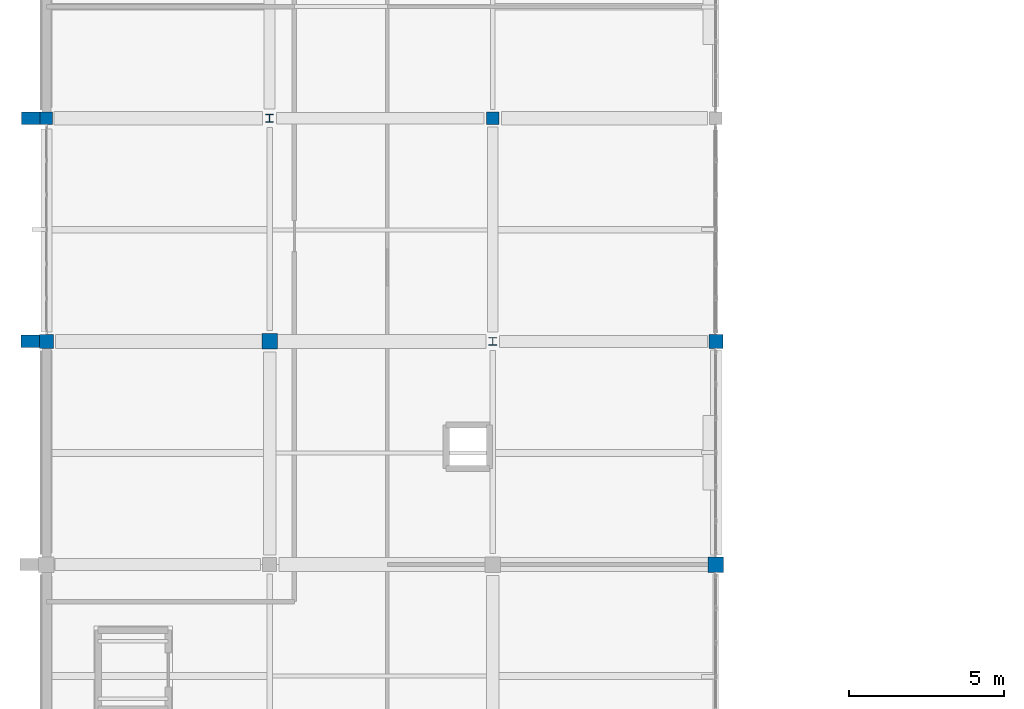
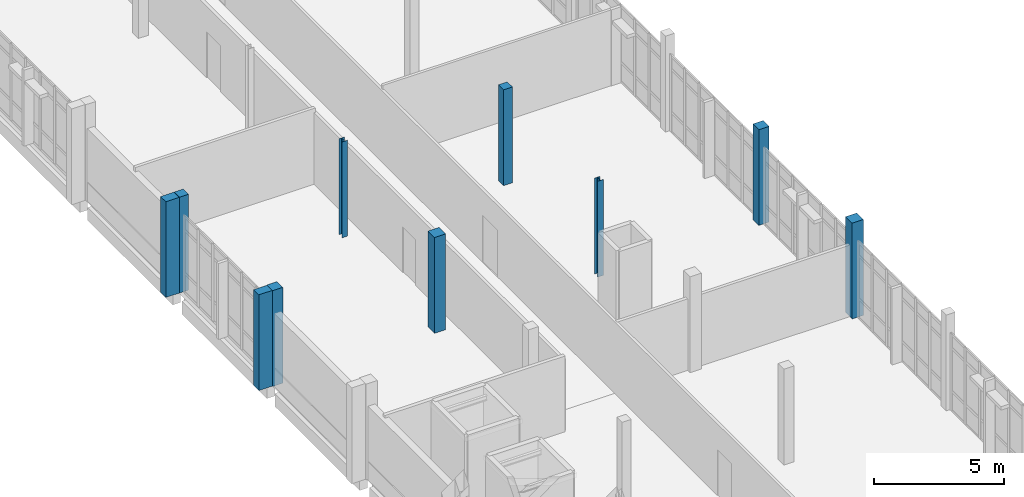
# One storey, part 3 of 62: 10 columns.
"""IFC4 building model written with IfcOpenShell, lengths in metres."""

from ifc_helpers import new_model, si_unit, direction, frame, origin, origin_2d, place, context, subcontext, project, spatial, rectangle, i_section, extrude, material, material_profile, profile_set, type_object, element, save


model = new_model("IFC4")

# Units and contexts
model_context = context("Model", 3, precision=1e-05, world=origin(), true_north=direction((0.0, 1.0)))
body_context = subcontext(model_context, "Body", "Model", "MODEL_VIEW")
ifc_project = project(units=[si_unit("LENGTHUNIT", "METRE"), si_unit("AREAUNIT", "SQUARE_METRE"), si_unit("VOLUMEUNIT", "CUBIC_METRE"), si_unit("PLANEANGLEUNIT", "RADIAN"), si_unit("MASSUNIT", "GRAM", prefix="KILO")], contexts=[model_context])

# Site, building, storey
site_placement = place(None, origin())
site = spatial("IfcSite", under=ifc_project, at=site_placement, CompositionType="ELEMENT")
building_placement = place(site_placement, origin())
building = spatial("IfcBuilding", under=site, at=building_placement, Name="Kalluvel Institute of Natural Sciences", CompositionType="ELEMENT")
storey_placement = place(building_placement, frame((0.0, 0.0, 27.89990234375)))
storey = spatial("IfcBuildingStorey", under=building, at=storey_placement, Name="L06", CompositionType="ELEMENT", Elevation=27.89990234375)

# Columns
ifc_material_1 = material(Name="Steel E350 Grade 350", Category="steel")
ifc_material_profile_1 = material_profile(ifc_material_1, i_section(OverallWidth=0.25, OverallDepth=0.25, WebThickness=0.0087890625, FlangeThickness=0.009765625, FilletRadius=0.010009765625, at=origin_2d()), Name="ISHB 250")
ifc_profile_set_1 = profile_set([ifc_material_profile_1], Name="Steel E350 Grade 350")
column_type_1 = type_object("IfcColumnType", Name="COL-ISHB250", PredefinedType="COLUMN", material=ifc_profile_set_1)
for number, where, z_axis, x_axis, name in (
    (1, (21.199951171875, 78.800048828125, 0.0), (0.0, 0.0, 1.0), (1.0, 0.0, 0.0), "L06 structural column COL-L06-X212-Y788"),
    (2, (28.39990234375, 71.60009765625, 0.0), (0.0, 0.0, 1.0), (1.0, 0.0, 0.0), "L06 structural column COL-L06-X284-Y716"),
):
    element("IfcColumn", number, at=place(storey_placement, frame(where, z_axis=z_axis, x_axis=x_axis)), inside=storey, type_object=column_type_1, Name=name, PredefinedType="COLUMN", context=body_context, shape_type="SweptSolid", body=[
        extrude(i_section(OverallWidth=0.25, OverallDepth=0.25, WebThickness=0.0087890625, FlangeThickness=0.009765625, FilletRadius=0.010009765625, at=origin_2d()), origin(), (0.0, 0.0, 1.0), 4.5),
    ])
ifc_material_2 = material(Name="Concrete M40", Category="concrete")
ifc_material_profile_2 = material_profile(ifc_material_2, rectangle(XDim=0.39990234375, YDim=0.39990234375, at=origin_2d()), Name="RC 400x400")
ifc_profile_set_2 = profile_set([ifc_material_profile_2], Name="Concrete M40")
column_type_2 = type_object("IfcColumnType", Name="COL-RC400", PredefinedType="COLUMN", material=ifc_profile_set_2)
for number, where, z_axis, x_axis, name in (
    (3, (14.0, 78.800048828125, 0.0), (0.0, 0.0, 1.0), (1.0, 0.0, 0.0), "L06 structural column COL-L06-X140-Y788"),
    (4, (28.39990234375, 78.800048828125, 0.0), (0.0, 0.0, 1.0), (1.0, 0.0, 0.0), "L06 structural column COL-L06-X284-Y788"),
):
    element("IfcColumn", number, at=place(storey_placement, frame(where, z_axis=z_axis, x_axis=x_axis)), inside=storey, type_object=column_type_2, Name=name, PredefinedType="COLUMN", context=body_context, shape_type="SweptSolid", body=[
        extrude(rectangle(XDim=0.39990234375, YDim=0.39990234375, at=origin_2d()), origin(), (0.0, 0.0, 1.0), 4.5),
    ])
ifc_material_profile_3 = material_profile(ifc_material_2, rectangle(XDim=0.449951171875, YDim=0.449951171875, at=origin_2d()), Name="RC 450x450")
ifc_profile_set_3 = profile_set([ifc_material_profile_3], Name="Concrete M40")
column_type_3 = type_object("IfcColumnType", Name="COL-RC450", PredefinedType="COLUMN", material=ifc_profile_set_3)
for number, where, z_axis, x_axis, name in (
    (5, (14.0, 71.60009765625, 0.0), (0.0, 0.0, 1.0), (1.0, 0.0, 0.0), "L06 structural column COL-L06-X140-Y716"),
    (6, (35.60009765625, 71.60009765625, 0.0), (0.0, 0.0, 1.0), (1.0, 0.0, 0.0), "L06 structural column COL-L06-X356-Y716"),
):
    element("IfcColumn", number, at=place(storey_placement, frame(where, z_axis=z_axis, x_axis=x_axis)), inside=storey, type_object=column_type_3, Name=name, PredefinedType="COLUMN", context=body_context, shape_type="SweptSolid", body=[
        extrude(rectangle(XDim=0.449951171875, YDim=0.449951171875, at=origin_2d()), origin(), (0.0, 0.0, 1.0), 4.5),
    ])
ifc_material_profile_4 = material_profile(ifc_material_2, rectangle(XDim=0.5, YDim=0.5, at=origin_2d()), Name="RC 500x500")
ifc_profile_set_4 = profile_set([ifc_material_profile_4], Name="Concrete M40")
column_type_4 = type_object("IfcColumnType", Name="COL-RC500", PredefinedType="COLUMN", material=ifc_profile_set_4)
for number, where, z_axis, x_axis, name in (
    (7, (21.199951171875, 71.60009765625, 0.0), (0.0, 0.0, 1.0), (1.0, 0.0, 0.0), "L06 structural column COL-L06-X212-Y716"),
    (8, (35.60009765625, 64.39990234375, 0.0), (0.0, 0.0, 1.0), (1.0, 0.0, 0.0), "L06 structural column COL-L06-X356-Y644"),
):
    element("IfcColumn", number, at=place(storey_placement, frame(where, z_axis=z_axis, x_axis=x_axis)), inside=storey, type_object=column_type_4, Name=name, PredefinedType="COLUMN", context=body_context, shape_type="SweptSolid", body=[
        extrude(rectangle(XDim=0.5, YDim=0.5, at=origin_2d()), origin(), (0.0, 0.0, 1.0), 4.5),
    ])
ifc_material_3 = material(Name="Sadarahalli Granite Precast Concrete M45", Category="masonry")
ifc_material_profile_5 = material_profile(ifc_material_3, rectangle(XDim=0.39990234375, YDim=0.60009765625, at=origin_2d()), Name="PIL 400x600")
ifc_profile_set_5 = profile_set([ifc_material_profile_5], Name="Sadarahalli Granite Precast Concrete M45")
column_type_5 = type_object("IfcColumnType", Name="PIL-400x600", PredefinedType="PILASTER", material=ifc_profile_set_5)
for number, where, z_axis, x_axis, name in (
    (9, (13.471923828125, 71.60009765625, 0.0), (0.0, 0.0, 1.0), (0.0, 1.0, 0.0), "L06 Gothic stepped Sadarahalli granite buttress 108"),
    (10, (13.4970703125, 78.800048828125, 0.0), (0.0, 0.0, 1.0), (0.0, 1.0, 0.0), "L06 Gothic stepped Sadarahalli granite buttress 116"),
):
    element("IfcColumn", number, at=place(storey_placement, frame(where, z_axis=z_axis, x_axis=x_axis)), inside=storey, type_object=column_type_5, Name=name, PredefinedType="PILASTER", context=body_context, shape_type="SweptSolid", body=[
        extrude(rectangle(XDim=0.39990234375, YDim=0.60009765625, at=origin_2d()), origin(), (0.0, 0.0, 1.0), 4.5),
    ])

save(model, "model.ifc")
